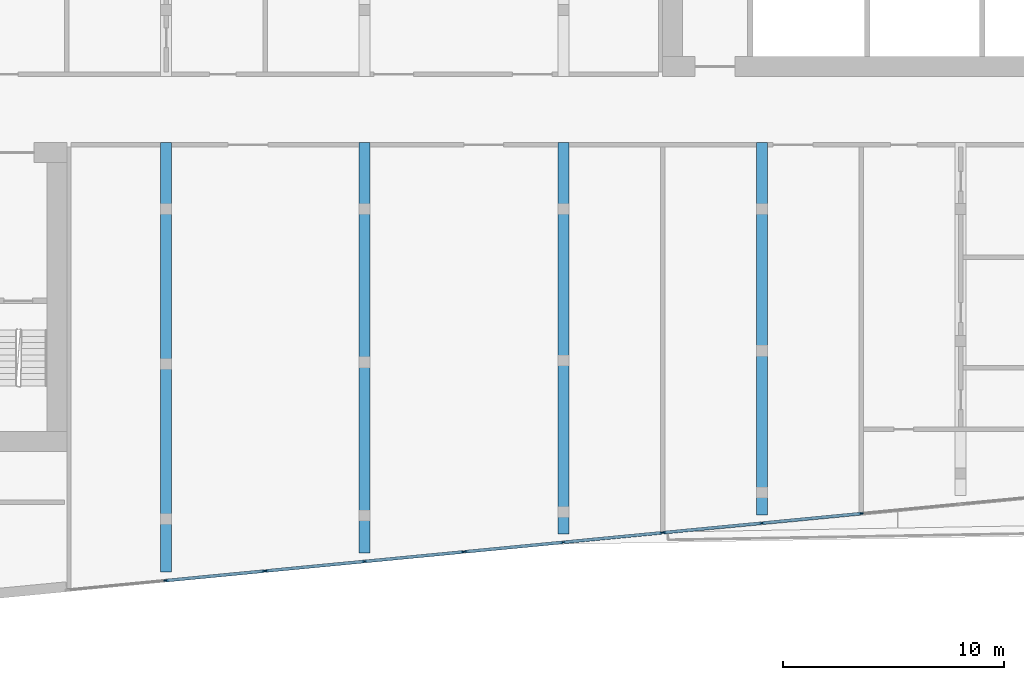
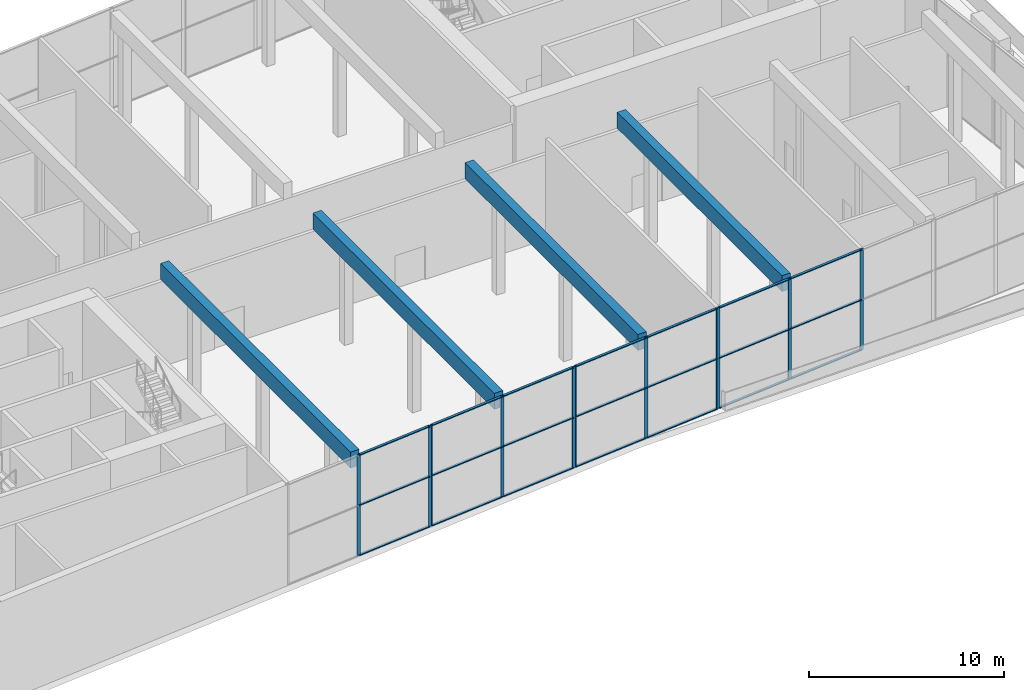
# One storey, part 4 of 24: 32 members, 4 beams, 4 elements without a shape of their own.
"""IFC4 building model written with IfcOpenShell, lengths in metres."""

from ifc_helpers import new_model, si_unit, direction, frame, origin, origin_2d, place, context, subcontext, project, spatial, rectangle, extrude, material, material_profile, profile_set, type_object, element, aggregate, save


model = new_model("IFC4")

# Units and contexts
model_context = context("Model", 3, precision=1e-05, world=origin(), true_north=direction((0.0, 1.0)))
body_context = subcontext(model_context, "Body", "Model", "MODEL_VIEW")
ifc_project = project(units=[si_unit("LENGTHUNIT", "METRE"), si_unit("AREAUNIT", "SQUARE_METRE"), si_unit("VOLUMEUNIT", "CUBIC_METRE"), si_unit("PLANEANGLEUNIT", "RADIAN"), si_unit("MASSUNIT", "GRAM", prefix="KILO")], contexts=[model_context])

# Site, building, storey
site_placement = place(None, origin())
site = spatial("IfcSite", under=ifc_project, at=site_placement, CompositionType="ELEMENT")
building_placement = place(site_placement, origin())
building = spatial("IfcBuilding", under=site, at=building_placement, Name="Kajstack Hotel Tower", CompositionType="ELEMENT")
storey_placement = place(building_placement, frame((0.0, 0.0, 261.89990234375)))
storey = spatial("IfcBuildingStorey", under=building, at=storey_placement, Name="L65", CompositionType="ELEMENT", Elevation=261.89990234375)

# Curtain wall, members
ifc_material_1 = material(Name="Aluminium-framed curtain wall, low-iron insulated glass", Category="aluminium")
curtain_wall_type = type_object("IfcCurtainWallType", Name="CW-GARDEN", PredefinedType="NOTDEFINED", material=ifc_material_1)
curtain_wall_1_placement = place(storey_placement, origin())
curtain_wall_1 = element("IfcCurtainWall", 1, at=curtain_wall_1_placement, inside=storey, type_object=curtain_wall_type, Name="Curtain wall CU6 L65-04-02-0", PredefinedType="NOTDEFINED")
ifc_material_2 = material(Name="Aluminium", Category="aluminium")
ifc_material_profile_1 = material_profile(ifc_material_2, rectangle(XDim=0.06005859375, YDim=0.199951171875, at=origin_2d()), Name="Aluminium mullion 60 x 200")
ifc_profile_set_1 = profile_set([ifc_material_profile_1], Name="Aluminium")
member_type_1 = type_object("IfcMemberType", Name="CW-M-GARDEN", PredefinedType="MULLION", material=ifc_profile_set_1)
member_1_placement = place(storey_placement, frame((-9.007080078125, -21.340087890625, 0.0), z_axis=(0.0, 0.0, 1.0), x_axis=(-0.095846360834, 0.995396139793, 0.0)))
member_1 = element("IfcMember", 2, at=member_1_placement, type_object=member_type_1, Name="CU6 mullion 2", PredefinedType="MULLION", context=body_context, shape_type="SweptSolid", body=[
    extrude(rectangle(XDim=0.06005859375, YDim=0.199951171875, at=origin_2d()), origin(), (0.0, 0.0, 1.0), 6.320068359375),
])
member_2_placement = place(storey_placement, frame((-4.537109375, -20.90966796875, 0.0), z_axis=(0.0, 0.0, 1.0), x_axis=(-0.095846360834, 0.995396139793, 0.0)))
member_2 = element("IfcMember", 3, at=member_2_placement, type_object=member_type_1, Name="CU6 mullion 3", PredefinedType="MULLION", context=body_context, shape_type="SweptSolid", body=[
    extrude(rectangle(XDim=0.06005859375, YDim=0.199951171875, at=origin_2d()), origin(), (0.0, 0.0, 1.0), 6.320068359375),
])

curtain_wall_2_placement = place(storey_placement, origin())
curtain_wall_2 = element("IfcCurtainWall", 4, at=curtain_wall_2_placement, inside=storey, type_object=curtain_wall_type, Name="Curtain wall CU6 L65-04-02-1", PredefinedType="NOTDEFINED")
member_3_placement = place(storey_placement, frame((-4.477294921875, -20.90380859375, 0.0), z_axis=(0.0, 0.0, 1.0), x_axis=(-0.0958462407, 0.995396151361, 0.0)))
member_3 = element("IfcMember", 5, at=member_3_placement, type_object=member_type_1, Name="CU6 mullion 1", PredefinedType="MULLION", context=body_context, shape_type="SweptSolid", body=[
    extrude(rectangle(XDim=0.06005859375, YDim=0.199951171875, at=origin_2d()), origin(), (0.0, 0.0, 1.0), 6.320068359375),
])
member_4_placement = place(storey_placement, frame((-0.00732421875, -20.473388671875, 0.0), z_axis=(0.0, 0.0, 1.0), x_axis=(-0.0958462407, 0.995396151361, 0.0)))
member_4 = element("IfcMember", 6, at=member_4_placement, type_object=member_type_1, Name="CU6 mullion 2", PredefinedType="MULLION", context=body_context, shape_type="SweptSolid", body=[
    extrude(rectangle(XDim=0.06005859375, YDim=0.199951171875, at=origin_2d()), origin(), (0.0, 0.0, 1.0), 6.320068359375),
])
member_5_placement = place(storey_placement, frame((4.462890625, -20.04296875, 0.0), z_axis=(0.0, 0.0, 1.0), x_axis=(-0.0958462407, 0.995396151361, 0.0)))
member_5 = element("IfcMember", 7, at=member_5_placement, type_object=member_type_1, Name="CU6 mullion 3", PredefinedType="MULLION", context=body_context, shape_type="SweptSolid", body=[
    extrude(rectangle(XDim=0.06005859375, YDim=0.199951171875, at=origin_2d()), origin(), (0.0, 0.0, 1.0), 6.320068359375),
])

curtain_wall_3_placement = place(storey_placement, origin())
curtain_wall_3 = element("IfcCurtainWall", 8, at=curtain_wall_3_placement, inside=storey, type_object=curtain_wall_type, Name="Curtain wall CU6 L65-04-02-2", PredefinedType="NOTDEFINED")
member_6_placement = place(storey_placement, frame((4.522705078125, -20.037109375, 0.0), z_axis=(0.0, 0.0, 1.0), x_axis=(-0.095846360834, 0.995396139793, 0.0)))
member_6 = element("IfcMember", 9, at=member_6_placement, type_object=member_type_1, Name="CU6 mullion 1", PredefinedType="MULLION", context=body_context, shape_type="SweptSolid", body=[
    extrude(rectangle(XDim=0.06005859375, YDim=0.199951171875, at=origin_2d()), origin(), (0.0, 0.0, 1.0), 6.320068359375),
])
member_7_placement = place(storey_placement, frame((8.99267578125, -19.606689453125, 0.0), z_axis=(0.0, 0.0, 1.0), x_axis=(-0.095846360834, 0.995396139793, 0.0)))
member_7 = element("IfcMember", 10, at=member_7_placement, type_object=member_type_1, Name="CU6 mullion 2", PredefinedType="MULLION", context=body_context, shape_type="SweptSolid", body=[
    extrude(rectangle(XDim=0.06005859375, YDim=0.199951171875, at=origin_2d()), origin(), (0.0, 0.0, 1.0), 6.320068359375),
])
member_8_placement = place(storey_placement, frame((13.462890625, -19.17626953125, 0.0), z_axis=(0.0, 0.0, 1.0), x_axis=(-0.095846360834, 0.995396139793, 0.0)))
member_8 = element("IfcMember", 11, at=member_8_placement, type_object=member_type_1, Name="CU6 mullion 3", PredefinedType="MULLION", context=body_context, shape_type="SweptSolid", body=[
    extrude(rectangle(XDim=0.06005859375, YDim=0.199951171875, at=origin_2d()), origin(), (0.0, 0.0, 1.0), 6.320068359375),
])

curtain_wall_4_placement = place(storey_placement, origin())
curtain_wall_4 = element("IfcCurtainWall", 12, at=curtain_wall_4_placement, inside=storey, type_object=curtain_wall_type, Name="Curtain wall CU6 L65-04-02-3", PredefinedType="NOTDEFINED")
member_9_placement = place(storey_placement, frame((13.522705078125, -19.170654296875, 0.0), z_axis=(0.0, 0.0, 1.0), x_axis=(-0.09584623832, 0.99539615159, 0.0)))
member_9 = element("IfcMember", 13, at=member_9_placement, type_object=member_type_1, Name="CU6 mullion 1", PredefinedType="MULLION", context=body_context, shape_type="SweptSolid", body=[
    extrude(rectangle(XDim=0.06005859375, YDim=0.199951171875, at=origin_2d()), origin(), (0.0, 0.0, 1.0), 6.320068359375),
])
member_10_placement = place(storey_placement, frame((17.99267578125, -18.740234375, 0.0), z_axis=(0.0, 0.0, 1.0), x_axis=(-0.09584623832, 0.99539615159, 0.0)))
member_10 = element("IfcMember", 14, at=member_10_placement, type_object=member_type_1, Name="CU6 mullion 2", PredefinedType="MULLION", context=body_context, shape_type="SweptSolid", body=[
    extrude(rectangle(XDim=0.06005859375, YDim=0.199951171875, at=origin_2d()), origin(), (0.0, 0.0, 1.0), 6.320068359375),
])
member_11_placement = place(storey_placement, frame((22.49267578125, -18.306884765625, 0.0), z_axis=(0.0, 0.0, 1.0), x_axis=(-0.09584623832, 0.99539615159, 0.0)))
member_11 = element("IfcMember", 15, at=member_11_placement, type_object=member_type_1, Name="CU6 mullion 3", PredefinedType="MULLION", context=body_context, shape_type="SweptSolid", body=[
    extrude(rectangle(XDim=0.06005859375, YDim=0.199951171875, at=origin_2d()), origin(), (0.0, 0.0, 1.0), 6.320068359375),
])

# Member
ifc_material_profile_2 = material_profile(ifc_material_2, rectangle(XDim=0.139892578125, YDim=0.06005859375, at=origin_2d()), Name="Aluminium transom 140 x 60")
ifc_profile_set_2 = profile_set([ifc_material_profile_2], Name="Aluminium")
member_type_2 = type_object("IfcMemberType", Name="CW-T-GARDEN", PredefinedType="USERDEFINED", material=ifc_profile_set_2)
member_12_placement = place(storey_placement, frame((-8.977294921875, -21.337158203125, 0.030029296875), z_axis=(0.995393367938, 0.095875143106, 0.0), x_axis=(-0.095875143106, 0.995393367938, 0.0)))
member_12 = element("IfcMember", 16, at=member_12_placement, type_object=member_type_2, Name="CU6 transom 2.1", ObjectType="TRANSOM", PredefinedType="USERDEFINED", context=body_context, shape_type="SweptSolid", body=[
    extrude(rectangle(XDim=0.139892578125, YDim=0.06005859375, at=origin_2d()), origin(), (0.0, 0.0, 1.0), 4.430908203125),
])

member_13_placement = place(storey_placement, frame((-8.977294921875, -21.337158203125, 3.16015625), z_axis=(0.995393367938, 0.095875143106, 0.0), x_axis=(-0.095875143106, 0.995393367938, 0.0)))
member_13 = element("IfcMember", 17, at=member_13_placement, type_object=member_type_2, Name="CU6 transom 2.2", ObjectType="TRANSOM", PredefinedType="USERDEFINED", context=body_context, shape_type="SweptSolid", body=[
    extrude(rectangle(XDim=0.139892578125, YDim=0.06005859375, at=origin_2d()), origin(), (0.0, 0.0, 1.0), 4.430908203125),
])

member_14_placement = place(storey_placement, frame((-8.977294921875, -21.337158203125, 6.2900390625), z_axis=(0.995393367938, 0.095875143106, 0.0), x_axis=(-0.095875143106, 0.995393367938, 0.0)))
member_14 = element("IfcMember", 18, at=member_14_placement, type_object=member_type_2, Name="CU6 transom 2.3", ObjectType="TRANSOM", PredefinedType="USERDEFINED", context=body_context, shape_type="SweptSolid", body=[
    extrude(rectangle(XDim=0.139892578125, YDim=0.06005859375, at=origin_2d()), origin(), (0.0, 0.0, 1.0), 4.430908203125),
])

aggregate(curtain_wall_1, [member_1, member_2, member_12, member_13, member_14])

member_15_placement = place(storey_placement, frame((-4.447509765625, -20.90087890625, 0.030029296875), z_axis=(0.995398624916, 0.095820548504, 0.0), x_axis=(-0.095820548504, 0.995398624916, 0.0)))
member_15 = element("IfcMember", 19, at=member_15_placement, type_object=member_type_2, Name="CU6 transom 1.1", ObjectType="TRANSOM", PredefinedType="USERDEFINED", context=body_context, shape_type="SweptSolid", body=[
    extrude(rectangle(XDim=0.139892578125, YDim=0.06005859375, at=origin_2d()), origin(), (0.0, 0.0, 1.0), 4.430908203125),
])

member_16_placement = place(storey_placement, frame((-4.447509765625, -20.90087890625, 3.16015625), z_axis=(0.995398624916, 0.095820548504, 0.0), x_axis=(-0.095820548504, 0.995398624916, 0.0)))
member_16 = element("IfcMember", 20, at=member_16_placement, type_object=member_type_2, Name="CU6 transom 1.2", ObjectType="TRANSOM", PredefinedType="USERDEFINED", context=body_context, shape_type="SweptSolid", body=[
    extrude(rectangle(XDim=0.139892578125, YDim=0.06005859375, at=origin_2d()), origin(), (0.0, 0.0, 1.0), 4.430908203125),
])

member_17_placement = place(storey_placement, frame((-4.447509765625, -20.90087890625, 6.2900390625), z_axis=(0.995398624916, 0.095820548504, 0.0), x_axis=(-0.095820548504, 0.995398624916, 0.0)))
member_17 = element("IfcMember", 21, at=member_17_placement, type_object=member_type_2, Name="CU6 transom 1.3", ObjectType="TRANSOM", PredefinedType="USERDEFINED", context=body_context, shape_type="SweptSolid", body=[
    extrude(rectangle(XDim=0.139892578125, YDim=0.06005859375, at=origin_2d()), origin(), (0.0, 0.0, 1.0), 4.430908203125),
])

member_18_placement = place(storey_placement, frame((0.022705078125, -20.470458984375, 0.030029296875), z_axis=(0.995398624916, 0.095820548504, 0.0), x_axis=(-0.095820548504, 0.995398624916, 0.0)))
member_18 = element("IfcMember", 22, at=member_18_placement, type_object=member_type_2, Name="CU6 transom 2.1", ObjectType="TRANSOM", PredefinedType="USERDEFINED", context=body_context, shape_type="SweptSolid", body=[
    extrude(rectangle(XDim=0.139892578125, YDim=0.06005859375, at=origin_2d()), origin(), (0.0, 0.0, 1.0), 4.430908203125),
])

member_19_placement = place(storey_placement, frame((0.022705078125, -20.470458984375, 3.16015625), z_axis=(0.995398624916, 0.095820548504, 0.0), x_axis=(-0.095820548504, 0.995398624916, 0.0)))
member_19 = element("IfcMember", 23, at=member_19_placement, type_object=member_type_2, Name="CU6 transom 2.2", ObjectType="TRANSOM", PredefinedType="USERDEFINED", context=body_context, shape_type="SweptSolid", body=[
    extrude(rectangle(XDim=0.139892578125, YDim=0.06005859375, at=origin_2d()), origin(), (0.0, 0.0, 1.0), 4.430908203125),
])

member_20_placement = place(storey_placement, frame((0.022705078125, -20.470458984375, 6.2900390625), z_axis=(0.995398624916, 0.095820548504, 0.0), x_axis=(-0.095820548504, 0.995398624916, 0.0)))
member_20 = element("IfcMember", 24, at=member_20_placement, type_object=member_type_2, Name="CU6 transom 2.3", ObjectType="TRANSOM", PredefinedType="USERDEFINED", context=body_context, shape_type="SweptSolid", body=[
    extrude(rectangle(XDim=0.139892578125, YDim=0.06005859375, at=origin_2d()), origin(), (0.0, 0.0, 1.0), 4.430908203125),
])

aggregate(curtain_wall_2, [member_3, member_4, member_5, member_15, member_16, member_17, member_18, member_19, member_20])

member_21_placement = place(storey_placement, frame((4.552490234375, -20.034423828125, 0.030029296875), z_axis=(0.995393367938, 0.095875143106, 0.0), x_axis=(-0.095875143106, 0.995393367938, 0.0)))
member_21 = element("IfcMember", 25, at=member_21_placement, type_object=member_type_2, Name="CU6 transom 1.1", ObjectType="TRANSOM", PredefinedType="USERDEFINED", context=body_context, shape_type="SweptSolid", body=[
    extrude(rectangle(XDim=0.139892578125, YDim=0.06005859375, at=origin_2d()), origin(), (0.0, 0.0, 1.0), 4.430908203125),
])

member_22_placement = place(storey_placement, frame((4.552490234375, -20.034423828125, 3.16015625), z_axis=(0.995393367938, 0.095875143106, 0.0), x_axis=(-0.095875143106, 0.995393367938, 0.0)))
member_22 = element("IfcMember", 26, at=member_22_placement, type_object=member_type_2, Name="CU6 transom 1.2", ObjectType="TRANSOM", PredefinedType="USERDEFINED", context=body_context, shape_type="SweptSolid", body=[
    extrude(rectangle(XDim=0.139892578125, YDim=0.06005859375, at=origin_2d()), origin(), (0.0, 0.0, 1.0), 4.430908203125),
])

member_23_placement = place(storey_placement, frame((4.552490234375, -20.034423828125, 6.2900390625), z_axis=(0.995393367938, 0.095875143106, 0.0), x_axis=(-0.095875143106, 0.995393367938, 0.0)))
member_23 = element("IfcMember", 27, at=member_23_placement, type_object=member_type_2, Name="CU6 transom 1.3", ObjectType="TRANSOM", PredefinedType="USERDEFINED", context=body_context, shape_type="SweptSolid", body=[
    extrude(rectangle(XDim=0.139892578125, YDim=0.06005859375, at=origin_2d()), origin(), (0.0, 0.0, 1.0), 4.430908203125),
])

member_24_placement = place(storey_placement, frame((9.022705078125, -19.60400390625, 0.030029296875), z_axis=(0.995393367938, 0.095875143106, 0.0), x_axis=(-0.095875143106, 0.995393367938, 0.0)))
member_24 = element("IfcMember", 28, at=member_24_placement, type_object=member_type_2, Name="CU6 transom 2.1", ObjectType="TRANSOM", PredefinedType="USERDEFINED", context=body_context, shape_type="SweptSolid", body=[
    extrude(rectangle(XDim=0.139892578125, YDim=0.06005859375, at=origin_2d()), origin(), (0.0, 0.0, 1.0), 4.430908203125),
])

member_25_placement = place(storey_placement, frame((9.022705078125, -19.60400390625, 3.16015625), z_axis=(0.995393367938, 0.095875143106, 0.0), x_axis=(-0.095875143106, 0.995393367938, 0.0)))
member_25 = element("IfcMember", 29, at=member_25_placement, type_object=member_type_2, Name="CU6 transom 2.2", ObjectType="TRANSOM", PredefinedType="USERDEFINED", context=body_context, shape_type="SweptSolid", body=[
    extrude(rectangle(XDim=0.139892578125, YDim=0.06005859375, at=origin_2d()), origin(), (0.0, 0.0, 1.0), 4.430908203125),
])

member_26_placement = place(storey_placement, frame((9.022705078125, -19.60400390625, 6.2900390625), z_axis=(0.995393367938, 0.095875143106, 0.0), x_axis=(-0.095875143106, 0.995393367938, 0.0)))
member_26 = element("IfcMember", 30, at=member_26_placement, type_object=member_type_2, Name="CU6 transom 2.3", ObjectType="TRANSOM", PredefinedType="USERDEFINED", context=body_context, shape_type="SweptSolid", body=[
    extrude(rectangle(XDim=0.139892578125, YDim=0.06005859375, at=origin_2d()), origin(), (0.0, 0.0, 1.0), 4.430908203125),
])

aggregate(curtain_wall_3, [member_6, member_7, member_8, member_21, member_22, member_23, member_24, member_25, member_26])

member_27_placement = place(storey_placement, frame((13.552490234375, -19.167724609375, 0.030029296875), z_axis=(0.995398624916, 0.095820548504, 0.0), x_axis=(-0.095820548504, 0.995398624916, 0.0)))
member_27 = element("IfcMember", 31, at=member_27_placement, type_object=member_type_2, Name="CU6 transom 1.1", ObjectType="TRANSOM", PredefinedType="USERDEFINED", context=body_context, shape_type="SweptSolid", body=[
    extrude(rectangle(XDim=0.139892578125, YDim=0.06005859375, at=origin_2d()), origin(), (0.0, 0.0, 1.0), 4.430908203125),
])

member_28_placement = place(storey_placement, frame((13.552490234375, -19.167724609375, 3.16015625), z_axis=(0.995398624916, 0.095820548504, 0.0), x_axis=(-0.095820548504, 0.995398624916, 0.0)))
member_28 = element("IfcMember", 32, at=member_28_placement, type_object=member_type_2, Name="CU6 transom 1.2", ObjectType="TRANSOM", PredefinedType="USERDEFINED", context=body_context, shape_type="SweptSolid", body=[
    extrude(rectangle(XDim=0.139892578125, YDim=0.06005859375, at=origin_2d()), origin(), (0.0, 0.0, 1.0), 4.430908203125),
])

member_29_placement = place(storey_placement, frame((13.552490234375, -19.167724609375, 6.2900390625), z_axis=(0.995398624916, 0.095820548504, 0.0), x_axis=(-0.095820548504, 0.995398624916, 0.0)))
member_29 = element("IfcMember", 33, at=member_29_placement, type_object=member_type_2, Name="CU6 transom 1.3", ObjectType="TRANSOM", PredefinedType="USERDEFINED", context=body_context, shape_type="SweptSolid", body=[
    extrude(rectangle(XDim=0.139892578125, YDim=0.06005859375, at=origin_2d()), origin(), (0.0, 0.0, 1.0), 4.430908203125),
])

member_30_placement = place(storey_placement, frame((18.022705078125, -18.7373046875, 0.030029296875), z_axis=(0.995397289199, 0.095834423126, 0.0), x_axis=(-0.095834423126, 0.995397289199, 0.0)))
member_30 = element("IfcMember", 34, at=member_30_placement, type_object=member_type_2, Name="CU6 transom 2.1", ObjectType="TRANSOM", PredefinedType="USERDEFINED", context=body_context, shape_type="SweptSolid", body=[
    extrude(rectangle(XDim=0.139892578125, YDim=0.06005859375, at=origin_2d()), origin(), (0.0, 0.0, 1.0), 4.460693359375),
])

member_31_placement = place(storey_placement, frame((18.022705078125, -18.7373046875, 3.16015625), z_axis=(0.995397289199, 0.095834423126, 0.0), x_axis=(-0.095834423126, 0.995397289199, 0.0)))
member_31 = element("IfcMember", 35, at=member_31_placement, type_object=member_type_2, Name="CU6 transom 2.2", ObjectType="TRANSOM", PredefinedType="USERDEFINED", context=body_context, shape_type="SweptSolid", body=[
    extrude(rectangle(XDim=0.139892578125, YDim=0.06005859375, at=origin_2d()), origin(), (0.0, 0.0, 1.0), 4.460693359375),
])

member_32_placement = place(storey_placement, frame((18.022705078125, -18.7373046875, 6.2900390625), z_axis=(0.995397289199, 0.095834423126, 0.0), x_axis=(-0.095834423126, 0.995397289199, 0.0)))
member_32 = element("IfcMember", 36, at=member_32_placement, type_object=member_type_2, Name="CU6 transom 2.3", ObjectType="TRANSOM", PredefinedType="USERDEFINED", context=body_context, shape_type="SweptSolid", body=[
    extrude(rectangle(XDim=0.139892578125, YDim=0.06005859375, at=origin_2d()), origin(), (0.0, 0.0, 1.0), 4.460693359375),
])

aggregate(curtain_wall_4, [member_9, member_10, member_11, member_27, member_28, member_29, member_30, member_31, member_32])

# Beams
ifc_material_3 = material(Name="Concrete C60/75", Category="concrete")
ifc_material_profile_3 = material_profile(ifc_material_3, rectangle(XDim=0.5, YDim=1.0, at=origin_2d()), Name="RC 500x1000")
ifc_profile_set_3 = profile_set([ifc_material_profile_3], Name="Concrete C60/75")
beam_type = type_object("IfcBeamType", Name="TG5 RC 500x1000 C60/75", PredefinedType="BEAM", material=ifc_profile_set_3)
beam_1_placement = place(storey_placement, frame((-9.0, -20.962646484375, 5.820068359375), z_axis=(0.0, 1.0, 0.0), x_axis=(-1.0, 0.0, 0.0)))
element("IfcBeam", 37, at=beam_1_placement, inside=storey, type_object=beam_type, Name="S-girder-L65--9p0-1", PredefinedType="BEAM", context=body_context, shape_type="SweptSolid", body=[
    extrude(rectangle(XDim=0.5, YDim=1.0, at=origin_2d()), origin(), (0.0, 0.0, 1.0), 19.462646484375),
])
beam_2_placement = place(storey_placement, frame((0.0, -20.095947265625, 5.820068359375), z_axis=(0.0, 1.0, 0.0), x_axis=(-1.0, 0.0, 0.0)))
element("IfcBeam", 38, at=beam_2_placement, inside=storey, type_object=beam_type, Name="S-girder-L65-+0p0-1", PredefinedType="BEAM", context=body_context, shape_type="SweptSolid", body=[
    extrude(rectangle(XDim=0.5, YDim=1.0, at=origin_2d()), origin(), (0.0, 0.0, 1.0), 18.595947265625),
])
beam_3_placement = place(storey_placement, frame((9.0, -19.2294921875, 5.820068359375), z_axis=(0.0, 1.0, 0.0), x_axis=(-1.0, 0.0, 0.0)))
element("IfcBeam", 39, at=beam_3_placement, inside=storey, type_object=beam_type, Name="S-girder-L65-+9p0-1", PredefinedType="BEAM", context=body_context, shape_type="SweptSolid", body=[
    extrude(rectangle(XDim=0.5, YDim=1.0, at=origin_2d()), origin(), (0.0, 0.0, 1.0), 17.7294921875),
])
beam_4_placement = place(storey_placement, frame((18.0, -18.36279296875, 5.820068359375), z_axis=(0.0, 1.0, 0.0), x_axis=(-1.0, 0.0, 0.0)))
element("IfcBeam", 40, at=beam_4_placement, inside=storey, type_object=beam_type, Name="S-girder-L65-+18p0-1", PredefinedType="BEAM", context=body_context, shape_type="SweptSolid", body=[
    extrude(rectangle(XDim=0.5, YDim=1.0, at=origin_2d()), origin(), (0.0, 0.0, 1.0), 16.86279296875),
])

save(model, "model.ifc")
